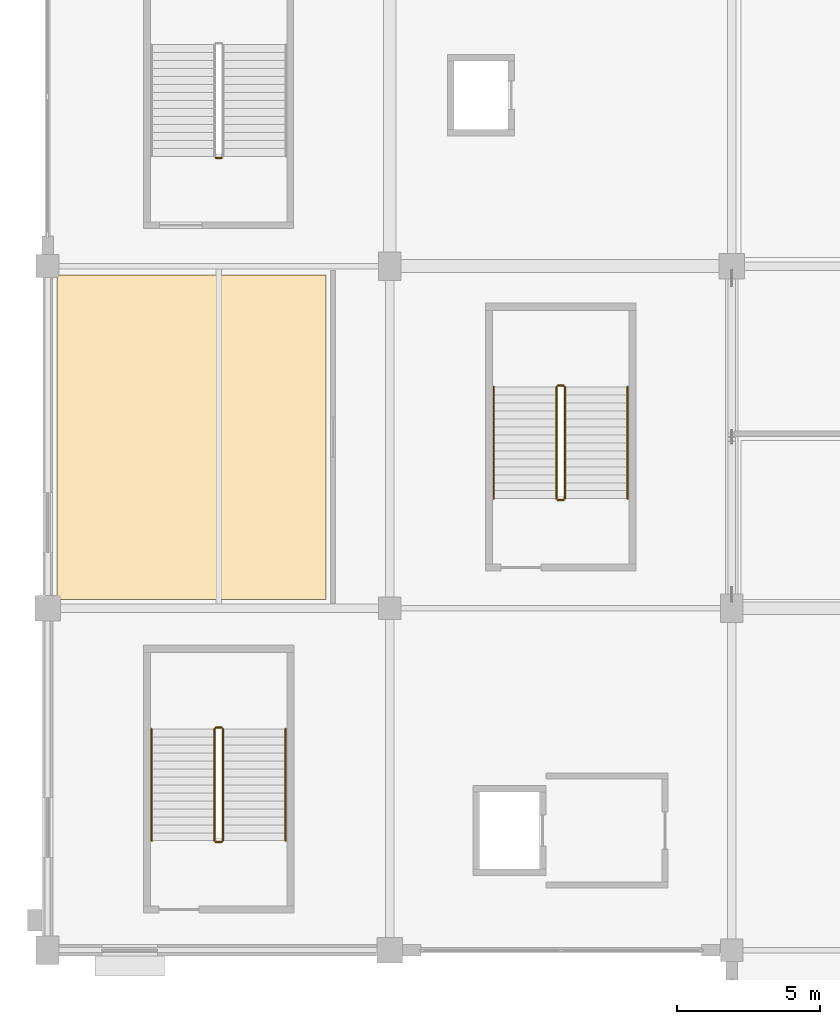
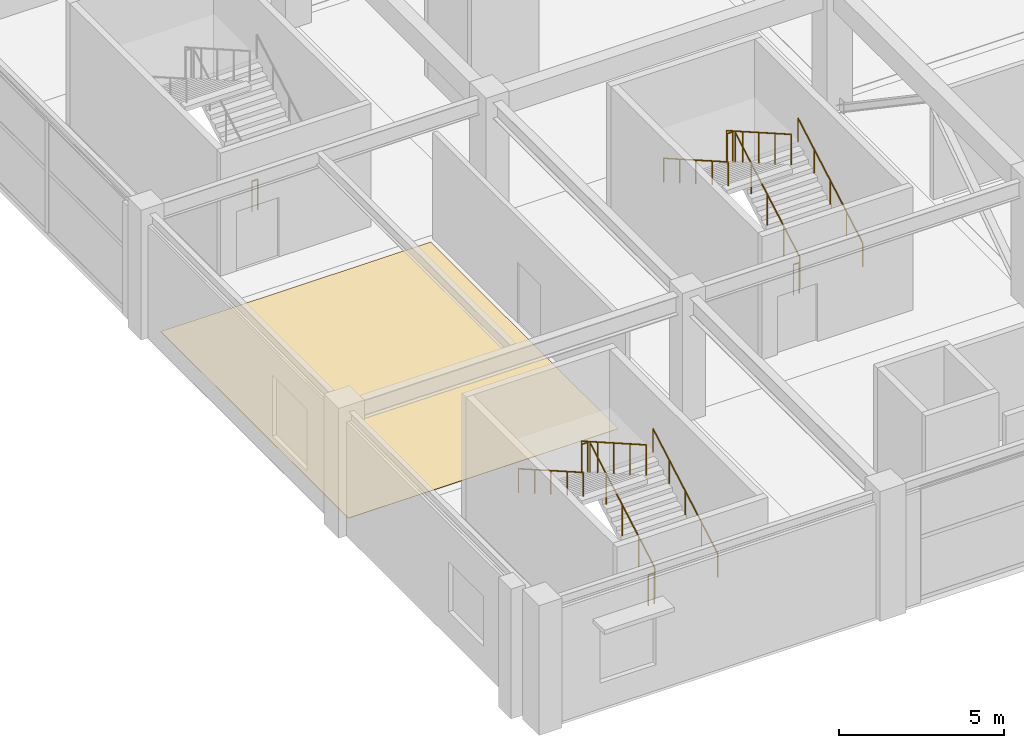
# One storey, part 99 of 134: 13 railings, 1 covering.
"""IFC4 building model written with IfcOpenShell, lengths in metres."""

from ifc_helpers import new_model, si_unit, direction, frame, origin, origin_2d, place, context, subcontext, project, spatial, polyline, circle, outline, extrude, material, layer, layer_set, type_object, element, save


model = new_model("IFC4")

# Units and contexts
model_context = context("Model", 3, precision=1e-05, world=origin(), true_north=direction((0.0, 1.0)))
body_context = subcontext(model_context, "Body", "Model", "MODEL_VIEW")
ifc_project = project(units=[si_unit("LENGTHUNIT", "METRE"), si_unit("AREAUNIT", "SQUARE_METRE"), si_unit("VOLUMEUNIT", "CUBIC_METRE"), si_unit("PLANEANGLEUNIT", "RADIAN"), si_unit("MASSUNIT", "GRAM", prefix="KILO")], contexts=[model_context])

# Site, building, storey
site_placement = place(None, origin())
site = spatial("IfcSite", under=ifc_project, at=site_placement, CompositionType="ELEMENT")
building_placement = place(site_placement, origin())
building = spatial("IfcBuilding", under=site, at=building_placement, Name="Kazenohara Klinker Stadium", CompositionType="ELEMENT")
storey_placement = place(building_placement, frame((0.0, 0.0, 5.39990234375)))
storey = spatial("IfcBuildingStorey", under=building, at=storey_placement, Name="L01", CompositionType="ELEMENT", Elevation=5.39990234375)

# Covering
ifc_material_1 = material(Name="Cushioned EPDM sports rubber flooring", Category="rubber")
ifc_layer_1 = layer(ifc_material_1, 0.014892578125)
ifc_layer_set_1 = layer_set([ifc_layer_1], Name="Cushioned EPDM sports rubber flooring")
covering_type = type_object("IfcCoveringType", Name="COV-FLR-02", PredefinedType="FLOORING", material=ifc_layer_set_1)
covering_placement = place(storey_placement, origin())
element("IfcCovering", 1, at=covering_placement, inside=storey, type_object=covering_type, Name="Interior floor finish FL02 Family Sensory Hospitality Lounge L01-0004A", PredefinedType="FLOORING", context=body_context, shape_type="SweptSolid", body=[
    extrude(outline(polyline([(0.330078125, 48.31005859375), (9.77001953125, 48.31005859375), (9.77001953125, 59.68994140625), (0.330078125, 59.68994140625), (0.330078125, 48.31005859375)])), origin(), (0.0, 0.0, 1.0), 0.01513671875),
])

# Railings
ifc_material_2 = material(Name="Brushed stainless steel 304 handrail", Category="steel")
ifc_layer_2 = layer(ifc_material_2, 0.050048828125)
ifc_layer_set_2 = layer_set([ifc_layer_2], Name="Brushed stainless steel 304 handrail")
railing_type_1 = type_object("IfcRailingType", Name="RL-HND-900", PredefinedType="HANDRAIL", material=ifc_layer_set_2)
railing_1_placement = place(storey_placement, frame((8.35009765625, 39.840087890625, 0.16015625)))
element("IfcRailing", 2, at=railing_1_placement, inside=storey, type_object=railing_type_1, Name="L01 ST01 stair handrail 1", PredefinedType="HANDRAIL", context=body_context, shape_type="SweptSolid", body=[
    extrude(circle(Radius=0.02392578125, at=origin_2d()), frame((0.0, 0.0, 0.8759765625), z_axis=(0.0, 0.868239814368, 0.496144761885), x_axis=(-1.0, 0.0, 0.0)), (0.0, 0.0, 1.0), 4.514892578125),
    extrude(circle(Radius=0.02099609375, at=origin_2d()), origin(), (0.0, 0.0, 1.0), 0.851806640625),
    extrude(circle(Radius=0.02099609375, at=origin_2d()), frame((0.0, 0.97998046875, 0.56005859375)), (0.0, 0.0, 1.0), 0.851806640625),
    extrude(circle(Radius=0.02099609375, at=origin_2d()), frame((0.0, 1.9599609375, 1.1201171875)), (0.0, 0.0, 1.0), 0.851806640625),
    extrude(circle(Radius=0.02099609375, at=origin_2d()), frame((0.0, 2.93994140625, 1.679931640625)), (0.0, 0.0, 1.0), 0.851806640625),
    extrude(circle(Radius=0.02099609375, at=origin_2d()), frame((0.0, 3.919921875, 2.239990234375)), (0.0, 0.0, 1.0), 0.851806640625),
])
railing_2_placement = place(storey_placement, frame((3.64990234375, 43.760009765625, 2.56005859375)))
element("IfcRailing", 3, at=railing_2_placement, inside=storey, type_object=railing_type_1, Name="L01 ST01 stair handrail 2", PredefinedType="HANDRAIL", context=body_context, shape_type="SweptSolid", body=[
    extrude(circle(Radius=0.02392578125, at=origin_2d()), frame((0.0, 0.0, 0.8759765625), z_axis=(0.0, -0.868239814368, 0.496144761885), x_axis=(1.0, 0.0, 0.0)), (0.0, 0.0, 1.0), 4.514892578125),
    extrude(circle(Radius=0.02099609375, at=origin_2d()), origin(), (0.0, 0.0, 1.0), 0.851806640625),
    extrude(circle(Radius=0.02099609375, at=origin_2d()), frame((0.0, -0.97998046875, 0.56005859375)), (0.0, 0.0, 1.0), 0.851806640625),
    extrude(circle(Radius=0.02099609375, at=origin_2d()), frame((0.0, -1.9599609375, 1.1201171875)), (0.0, 0.0, 1.0), 0.851806640625),
    extrude(circle(Radius=0.02099609375, at=origin_2d()), frame((0.0, -2.93994140625, 1.679931640625)), (0.0, 0.0, 1.0), 0.851806640625),
    extrude(circle(Radius=0.02099609375, at=origin_2d()), frame((0.0, -3.919921875, 2.239990234375)), (0.0, 0.0, 1.0), 0.851806640625),
])
railing_3_placement = place(storey_placement, frame((20.35009765625, 51.840087890625, 0.16015625)))
element("IfcRailing", 4, at=railing_3_placement, inside=storey, type_object=railing_type_1, Name="L01 ST13 stair handrail 1", PredefinedType="HANDRAIL", context=body_context, shape_type="SweptSolid", body=[
    extrude(circle(Radius=0.02392578125, at=origin_2d()), frame((0.0, 0.0, 0.8759765625), z_axis=(0.0, 0.868239814368, 0.496144761885), x_axis=(-1.0, 0.0, 0.0)), (0.0, 0.0, 1.0), 4.514892578125),
    extrude(circle(Radius=0.02099609375, at=origin_2d()), origin(), (0.0, 0.0, 1.0), 0.851806640625),
    extrude(circle(Radius=0.02099609375, at=origin_2d()), frame((0.0, 0.97998046875, 0.56005859375)), (0.0, 0.0, 1.0), 0.851806640625),
    extrude(circle(Radius=0.02099609375, at=origin_2d()), frame((0.0, 1.9599609375, 1.1201171875)), (0.0, 0.0, 1.0), 0.851806640625),
    extrude(circle(Radius=0.02099609375, at=origin_2d()), frame((0.0, 2.93994140625, 1.679931640625)), (0.0, 0.0, 1.0), 0.851806640625),
    extrude(circle(Radius=0.02099609375, at=origin_2d()), frame((0.0, 3.919921875, 2.239990234375)), (0.0, 0.0, 1.0), 0.851806640625),
])
railing_4_placement = place(storey_placement, frame((15.64990234375, 55.760009765625, 2.56005859375)))
element("IfcRailing", 5, at=railing_4_placement, inside=storey, type_object=railing_type_1, Name="L01 ST13 stair handrail 2", PredefinedType="HANDRAIL", context=body_context, shape_type="SweptSolid", body=[
    extrude(circle(Radius=0.02392578125, at=origin_2d()), frame((0.0, 0.0, 0.8759765625), z_axis=(0.0, -0.868239814368, 0.496144761885), x_axis=(1.0, 0.0, 0.0)), (0.0, 0.0, 1.0), 4.514892578125),
    extrude(circle(Radius=0.02099609375, at=origin_2d()), origin(), (0.0, 0.0, 1.0), 0.851806640625),
    extrude(circle(Radius=0.02099609375, at=origin_2d()), frame((0.0, -0.97998046875, 0.56005859375)), (0.0, 0.0, 1.0), 0.851806640625),
    extrude(circle(Radius=0.02099609375, at=origin_2d()), frame((0.0, -1.9599609375, 1.1201171875)), (0.0, 0.0, 1.0), 0.851806640625),
    extrude(circle(Radius=0.02099609375, at=origin_2d()), frame((0.0, -2.93994140625, 1.679931640625)), (0.0, 0.0, 1.0), 0.851806640625),
    extrude(circle(Radius=0.02099609375, at=origin_2d()), frame((0.0, -3.919921875, 2.239990234375)), (0.0, 0.0, 1.0), 0.851806640625),
])
ifc_material_3 = material(Name="Painted steel stairwell guardrail", Category="steel")
ifc_layer_3 = layer(ifc_material_3, 0.06005859375)
ifc_layer_set_3 = layer_set([ifc_layer_3], Name="Painted steel stairwell guardrail")
railing_type_2 = type_object("IfcRailingType", Name="RL-STG-1120", PredefinedType="GUARDRAIL", material=ifc_layer_set_3)
railing_5_placement = place(storey_placement, frame((6.14990234375, 39.840087890625, 0.16015625)))
element("IfcRailing", 6, at=railing_5_placement, inside=storey, type_object=railing_type_2, Name="L01 ST01 stair guard 1", PredefinedType="GUARDRAIL", context=body_context, shape_type="SweptSolid", body=[
    extrude(circle(Radius=0.02392578125, at=origin_2d()), frame((0.0, 0.0, 1.1259765625), z_axis=(0.0, 0.868239814368, 0.496144761885), x_axis=(-1.0, 0.0, 0.0)), (0.0, 0.0, 1.0), 4.514892578125),
    extrude(circle(Radius=0.02099609375, at=origin_2d()), origin(), (0.0, 0.0, 1.0), 1.101806640625),
    extrude(circle(Radius=0.02099609375, at=origin_2d()), frame((0.0, 0.97998046875, 0.56005859375)), (0.0, 0.0, 1.0), 1.101806640625),
    extrude(circle(Radius=0.02099609375, at=origin_2d()), frame((0.0, 1.9599609375, 1.1201171875)), (0.0, 0.0, 1.0), 1.101806640625),
    extrude(circle(Radius=0.02099609375, at=origin_2d()), frame((0.0, 2.93994140625, 1.679931640625)), (0.0, 0.0, 1.0), 1.101806640625),
    extrude(circle(Radius=0.02099609375, at=origin_2d()), frame((0.0, 3.919921875, 2.239990234375)), (0.0, 0.0, 1.0), 1.101806640625),
])
railing_6_placement = place(storey_placement, frame((6.10009765625, 43.81005859375, 2.400146484375)))
element("IfcRailing", 7, at=railing_6_placement, inside=storey, type_object=railing_type_2, Name="L01 ST01 stair guard 2", PredefinedType="GUARDRAIL", context=body_context, shape_type="SweptSolid", body=[
    extrude(circle(Radius=0.02392578125, at=origin_2d()), frame((0.0, 0.0, 1.1259765625), z_axis=(-1.0, 0.0, 0.0), x_axis=(0.0, -1.0, 0.0)), (0.0, 0.0, 1.0), 0.2001953125),
    extrude(circle(Radius=0.02099609375, at=origin_2d()), origin(), (0.0, 0.0, 1.0), 1.101806640625),
    extrude(circle(Radius=0.02099609375, at=origin_2d()), frame((-0.2001953125, 0.0, 0.0)), (0.0, 0.0, 1.0), 1.101806640625),
])
railing_7_placement = place(storey_placement, frame((5.85009765625, 43.760009765625, 2.56005859375)))
element("IfcRailing", 8, at=railing_7_placement, inside=storey, type_object=railing_type_2, Name="L01 ST01 stair guard 3", PredefinedType="GUARDRAIL", context=body_context, shape_type="SweptSolid", body=[
    extrude(circle(Radius=0.02392578125, at=origin_2d()), frame((0.0, 0.0, 1.1259765625), z_axis=(0.0, -0.868239814368, 0.496144761885), x_axis=(1.0, 0.0, 0.0)), (0.0, 0.0, 1.0), 4.514892578125),
    extrude(circle(Radius=0.02099609375, at=origin_2d()), origin(), (0.0, 0.0, 1.0), 1.101806640625),
    extrude(circle(Radius=0.02099609375, at=origin_2d()), frame((0.0, -0.97998046875, 0.56005859375)), (0.0, 0.0, 1.0), 1.101806640625),
    extrude(circle(Radius=0.02099609375, at=origin_2d()), frame((0.0, -1.9599609375, 1.1201171875)), (0.0, 0.0, 1.0), 1.101806640625),
    extrude(circle(Radius=0.02099609375, at=origin_2d()), frame((0.0, -2.93994140625, 1.679931640625)), (0.0, 0.0, 1.0), 1.101806640625),
    extrude(circle(Radius=0.02099609375, at=origin_2d()), frame((0.0, -3.919921875, 2.239990234375)), (0.0, 0.0, 1.0), 1.101806640625),
])
for number, where, name in (
    (9, (6.10009765625, 39.7900390625, 0.0), "L01 ST01 stair guard 4"),
    (10, (6.10009765625, 63.800048828125, 0.0), "L01 ST02 stair guard 4"),
):
    element("IfcRailing", number, at=place(storey_placement, frame(where)), inside=storey, type_object=railing_type_2, Name=name, PredefinedType="GUARDRAIL", context=body_context, shape_type="SweptSolid", body=[
        extrude(circle(Radius=0.02392578125, at=origin_2d()), frame((0.0, 0.0, 1.1259765625), z_axis=(-1.0, 0.0, 0.0), x_axis=(0.0, -1.0, 0.0)), (0.0, 0.0, 1.0), 0.2001953125),
        extrude(circle(Radius=0.02099609375, at=origin_2d()), origin(), (0.0, 0.0, 1.0), 1.101806640625),
        extrude(circle(Radius=0.02099609375, at=origin_2d()), frame((-0.2001953125, 0.0, 0.0)), (0.0, 0.0, 1.0), 1.101806640625),
    ])
railing_8_placement = place(storey_placement, frame((18.14990234375, 51.840087890625, 0.16015625)))
element("IfcRailing", 11, at=railing_8_placement, inside=storey, type_object=railing_type_2, Name="L01 ST13 stair guard 1", PredefinedType="GUARDRAIL", context=body_context, shape_type="SweptSolid", body=[
    extrude(circle(Radius=0.02392578125, at=origin_2d()), frame((0.0, 0.0, 1.1259765625), z_axis=(0.0, 0.868239814368, 0.496144761885), x_axis=(-1.0, 0.0, 0.0)), (0.0, 0.0, 1.0), 4.514892578125),
    extrude(circle(Radius=0.02099609375, at=origin_2d()), origin(), (0.0, 0.0, 1.0), 1.101806640625),
    extrude(circle(Radius=0.02099609375, at=origin_2d()), frame((0.0, 0.97998046875, 0.56005859375)), (0.0, 0.0, 1.0), 1.101806640625),
    extrude(circle(Radius=0.02099609375, at=origin_2d()), frame((0.0, 1.9599609375, 1.1201171875)), (0.0, 0.0, 1.0), 1.101806640625),
    extrude(circle(Radius=0.02099609375, at=origin_2d()), frame((0.0, 2.93994140625, 1.679931640625)), (0.0, 0.0, 1.0), 1.101806640625),
    extrude(circle(Radius=0.02099609375, at=origin_2d()), frame((0.0, 3.919921875, 2.239990234375)), (0.0, 0.0, 1.0), 1.101806640625),
])
railing_9_placement = place(storey_placement, frame((18.10009765625, 55.81005859375, 2.400146484375)))
element("IfcRailing", 12, at=railing_9_placement, inside=storey, type_object=railing_type_2, Name="L01 ST13 stair guard 2", PredefinedType="GUARDRAIL", context=body_context, shape_type="SweptSolid", body=[
    extrude(circle(Radius=0.02392578125, at=origin_2d()), frame((0.0, 0.0, 1.1259765625), z_axis=(-1.0, 0.0, 0.0), x_axis=(0.0, -1.0, 0.0)), (0.0, 0.0, 1.0), 0.2001953125),
    extrude(circle(Radius=0.02099609375, at=origin_2d()), origin(), (0.0, 0.0, 1.0), 1.101806640625),
    extrude(circle(Radius=0.02099609375, at=origin_2d()), frame((-0.2001953125, 0.0, 0.0)), (0.0, 0.0, 1.0), 1.101806640625),
])
railing_10_placement = place(storey_placement, frame((17.85009765625, 55.760009765625, 2.56005859375)))
element("IfcRailing", 13, at=railing_10_placement, inside=storey, type_object=railing_type_2, Name="L01 ST13 stair guard 3", PredefinedType="GUARDRAIL", context=body_context, shape_type="SweptSolid", body=[
    extrude(circle(Radius=0.02392578125, at=origin_2d()), frame((0.0, 0.0, 1.1259765625), z_axis=(0.0, -0.868239814368, 0.496144761885), x_axis=(1.0, 0.0, 0.0)), (0.0, 0.0, 1.0), 4.514892578125),
    extrude(circle(Radius=0.02099609375, at=origin_2d()), origin(), (0.0, 0.0, 1.0), 1.101806640625),
    extrude(circle(Radius=0.02099609375, at=origin_2d()), frame((0.0, -0.97998046875, 0.56005859375)), (0.0, 0.0, 1.0), 1.101806640625),
    extrude(circle(Radius=0.02099609375, at=origin_2d()), frame((0.0, -1.9599609375, 1.1201171875)), (0.0, 0.0, 1.0), 1.101806640625),
    extrude(circle(Radius=0.02099609375, at=origin_2d()), frame((0.0, -2.93994140625, 1.679931640625)), (0.0, 0.0, 1.0), 1.101806640625),
    extrude(circle(Radius=0.02099609375, at=origin_2d()), frame((0.0, -3.919921875, 2.239990234375)), (0.0, 0.0, 1.0), 1.101806640625),
])
railing_11_placement = place(storey_placement, frame((18.10009765625, 51.7900390625, 0.0)))
element("IfcRailing", 14, at=railing_11_placement, inside=storey, type_object=railing_type_2, Name="L01 ST13 stair guard 4", PredefinedType="GUARDRAIL", context=body_context, shape_type="SweptSolid", body=[
    extrude(circle(Radius=0.02392578125, at=origin_2d()), frame((0.0, 0.0, 1.1259765625), z_axis=(-1.0, 0.0, 0.0), x_axis=(0.0, -1.0, 0.0)), (0.0, 0.0, 1.0), 0.2001953125),
    extrude(circle(Radius=0.02099609375, at=origin_2d()), origin(), (0.0, 0.0, 1.0), 1.101806640625),
    extrude(circle(Radius=0.02099609375, at=origin_2d()), frame((-0.2001953125, 0.0, 0.0)), (0.0, 0.0, 1.0), 1.101806640625),
])

save(model, "model.ifc")
